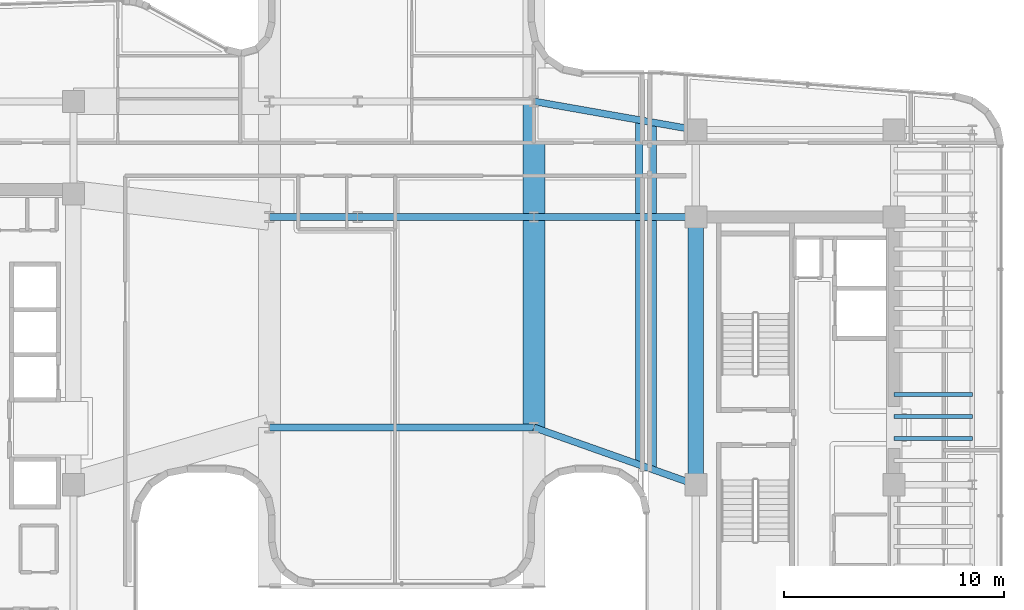
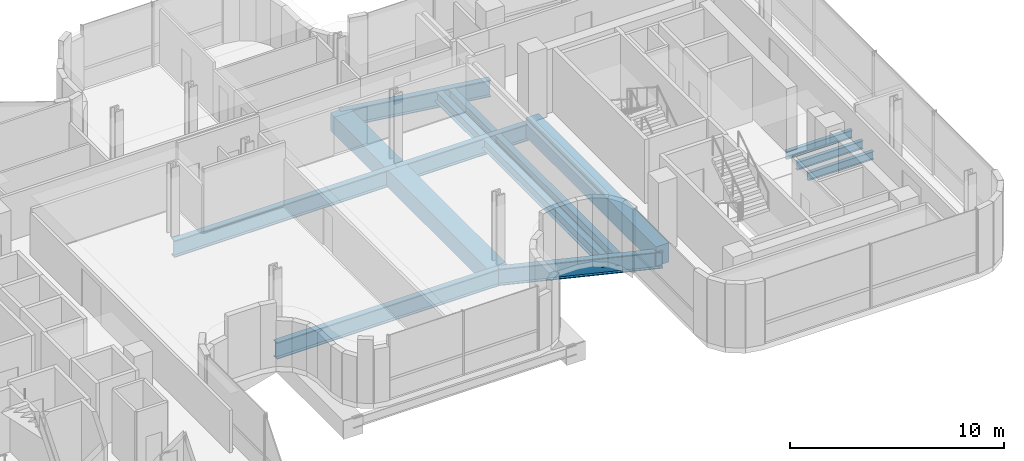
# One storey, part 14 of 39: 12 beams.
"""IFC4 building model written with IfcOpenShell, lengths in metres."""

from ifc_helpers import new_model, si_unit, direction, frame, origin, origin_2d, place, context, subcontext, project, spatial, rectangle, hollow_rectangle, i_section, extrude, source, transform, mapped, material, material_profile, profile_set, type_object, element, save


model = new_model("IFC4")

# Units and contexts
model_context = context("Model", 3, precision=1e-05, world=origin(), true_north=direction((0.0, 1.0)))
body_context = subcontext(model_context, "Body", "Model", "MODEL_VIEW")
ifc_project = project(units=[si_unit("LENGTHUNIT", "METRE"), si_unit("AREAUNIT", "SQUARE_METRE"), si_unit("VOLUMEUNIT", "CUBIC_METRE"), si_unit("PLANEANGLEUNIT", "RADIAN"), si_unit("MASSUNIT", "GRAM", prefix="KILO")], contexts=[model_context])

# Site, building, storey
site_placement = place(None, origin())
site = spatial("IfcSite", under=ifc_project, at=site_placement, CompositionType="ELEMENT")
building_placement = place(site_placement, origin())
building = spatial("IfcBuilding", under=site, at=building_placement, Name="Valdorenza Pilgrim Sanctuary Tower", CompositionType="ELEMENT")
storey_placement = place(building_placement, frame((0.0, 0.0, 184.449951171875)))
storey = spatial("IfcBuildingStorey", under=building, at=storey_placement, Name="L47", CompositionType="ELEMENT", Elevation=184.449951171875)

# Beams
ifc_material_1 = material(Name="Concrete C50/60", Category="concrete")
ifc_material_profile_1 = material_profile(ifc_material_1, rectangle(XDim=0.699951171875, YDim=1.10009765625, at=origin_2d()), Name="RC 1100x700")
ifc_profile_set_1 = profile_set([ifc_material_profile_1], Name="Concrete C50/60")
beam_type_1 = type_object("IfcBeamType", Name="STR-BM-LNT-1100", PredefinedType="LINTEL", material=ifc_profile_set_1)
shared_shape_1 = source(origin(), body_context, "Body", "SweptSolid", [
    extrude(rectangle(XDim=0.699951171875, YDim=1.10009765625, at=origin_2d()), origin(), (0.0, 0.0, 1.0), 12.150146484375),
])
beam_1_placement = place(storey_placement, frame((15.85009765625, -2.60009765625, -0.58984375), z_axis=(0.0, 1.0, 0.0), x_axis=(-1.0, 0.0, 0.0)))
element("IfcBeam", 1, at=beam_1_placement, inside=storey, type_object=beam_type_1, Name="L47 Core B West Coupling Lintel Girder", PredefinedType="LINTEL", context=body_context, shape_type="MappedRepresentation", body=[
    mapped(shared_shape_1, transform((0.0, 0.0, 0.0), x_axis=(1.0, 0.0, 0.0), y_axis=(0.0, 1.0, 0.0), z_axis=(0.0, 0.0, 1.0), scale=1.0)),
])
ifc_material_2 = material(Name="Steel ASTM A992 Grade 50", Category="steel")
ifc_material_profile_2 = material_profile(ifc_material_2, i_section(OverallWidth=0.19091796875, OverallDepth=0.45703125, WebThickness=0.009033203125, FlangeThickness=0.014404296875, at=origin_2d()), Name="W18X50")
ifc_profile_set_2 = profile_set([ifc_material_profile_2], Name="Steel ASTM A992 Grade 50")
beam_type_2 = type_object("IfcBeamType", Name="STR-BM-JST-W18B", PredefinedType="JOIST", material=ifc_profile_set_2)
shared_shape_2 = source(origin(), body_context, "Body", "SweptSolid", [
    extrude(i_section(OverallWidth=0.19091796875, OverallDepth=0.45703125, WebThickness=0.009033203125, FlangeThickness=0.014404296875, at=origin_2d()), origin(), (0.0, 0.0, 1.0), 3.5498046875),
])
for number, where, z_axis, x_axis, name in (
    (2, (24.85009765625, -0.5, -0.54833984375), (1.0, 0.0, 0.0), (0.0, 1.0, 0.0), "L47 Composite Floor Joist JST-WB-9"),
    (3, (24.85009765625, 0.5, -0.54833984375), (1.0, 0.0, 0.0), (0.0, 1.0, 0.0), "L47 Composite Floor Joist JST-WB-10"),
    (4, (24.85009765625, 1.5, -0.54833984375), (1.0, 0.0, 0.0), (0.0, 1.0, 0.0), "L47 Composite Floor Joist JST-WB-11"),
):
    element("IfcBeam", number, at=place(storey_placement, frame(where, z_axis=z_axis, x_axis=x_axis)), inside=storey, type_object=beam_type_2, Name=name, PredefinedType="JOIST", context=body_context, shape_type="MappedRepresentation", body=[
        mapped(shared_shape_2, transform((0.0, 0.0, 0.0), x_axis=(1.0, 0.0, 0.0), y_axis=(0.0, 1.0, 0.0), z_axis=(0.0, 0.0, 1.0), scale=1.0)),
    ])
ifc_material_profile_3 = material_profile(ifc_material_2, i_section(OverallWidth=0.323974609375, OverallDepth=0.611083984375, WebThickness=0.0126953125, FlangeThickness=0.01904296875, at=origin_2d()), Name="W24X104")
ifc_profile_set_3 = profile_set([ifc_material_profile_3], Name="Steel ASTM A992 Grade 50")
beam_type_3 = type_object("IfcBeamType", Name="STR-BM-GRD-W24B", PredefinedType="BEAM", material=ifc_profile_set_3)
shared_shape_3 = source(origin(), body_context, "Body", "SweptSolid", [
    extrude(i_section(OverallWidth=0.323974609375, OverallDepth=0.611083984375, WebThickness=0.0126953125, FlangeThickness=0.01904296875, at=origin_2d()), origin(), (0.0, 0.0, 1.0), 15.639892578125),
])
beam_2_placement = place(storey_placement, frame((13.280029296875, -1.68994140625, -0.62548828125), z_axis=(0.0, 1.0, 0.0), x_axis=(-1.0, 0.0, 0.0)))
element("IfcBeam", 5, at=beam_2_placement, inside=storey, type_object=beam_type_3, Name="L47 Bridge Joint Edge Header PRY-JNT-W", PredefinedType="BEAM", context=body_context, shape_type="MappedRepresentation", body=[
    mapped(shared_shape_3, transform((0.0, 0.0, 0.0), x_axis=(1.0, 0.0, 0.0), y_axis=(0.0, 1.0, 0.0), z_axis=(0.0, 0.0, 1.0), scale=1.0)),
])
shared_shape_4 = source(origin(), body_context, "Body", "SweptSolid", [
    extrude(i_section(OverallWidth=0.323974609375, OverallDepth=0.611083984375, WebThickness=0.0126953125, FlangeThickness=0.01904296875, at=origin_2d()), origin(), (0.0, 0.0, 1.0), 15.75),
])
beam_3_placement = place(storey_placement, frame((13.89990234375, -1.909912109375, -0.62548828125), z_axis=(0.0, 1.0, 0.0), x_axis=(-1.0, 0.0, 0.0)))
element("IfcBeam", 6, at=beam_3_placement, inside=storey, type_object=beam_type_3, Name="L47 Wing B Joint Edge Header PRY-JNT-E", PredefinedType="BEAM", context=body_context, shape_type="MappedRepresentation", body=[
    mapped(shared_shape_4, transform((0.0, 0.0, 0.0), x_axis=(1.0, 0.0, 0.0), y_axis=(0.0, 1.0, 0.0), z_axis=(0.0, 0.0, 1.0), scale=1.0)),
])
ifc_material_3 = material(Name="Steel ASTM A572 Grade 42", Category="steel")
ifc_material_profile_4 = material_profile(ifc_material_3, hollow_rectangle(XDim=1.0, YDim=1.0, WallThickness=0.080078125, at=origin_2d()), Name="BOX 1000x1000x80")
ifc_profile_set_4 = profile_set([ifc_material_profile_4], Name="Steel ASTM A572 Grade 42")
beam_type_4 = type_object("IfcBeamType", Name="STR-BM-PROW-CANT", PredefinedType="BEAM", material=ifc_profile_set_4)
shared_shape_5 = source(origin(), body_context, "Body", "SweptSolid", [
    extrude(hollow_rectangle(XDim=1.0, YDim=1.0, WallThickness=0.080078125, at=origin_2d()), origin(), (0.0, 0.0, 1.0), 14.800048828125),
])
beam_4_placement = place(storey_placement, frame((8.5, 0.0, -0.820068359375), z_axis=(0.0, 1.0, 0.0), x_axis=(-1.0, 0.0, 0.0)))
element("IfcBeam", 7, at=beam_4_placement, inside=storey, type_object=beam_type_4, Name="L47 Sanctuary Backspan Girder PROW-BACK-N-E", PredefinedType="BEAM", context=body_context, shape_type="MappedRepresentation", body=[
    mapped(shared_shape_5, transform((0.0, 0.0, 0.0), x_axis=(1.0, 0.0, 0.0), y_axis=(0.0, 1.0, 0.0), z_axis=(0.0, 0.0, 1.0), scale=1.0)),
])
ifc_material_profile_5 = material_profile(ifc_material_2, i_section(OverallWidth=0.31005859375, OverallDepth=0.949951171875, WebThickness=0.0244140625, FlangeThickness=0.0439453125, at=origin_2d()), Name="W36X256")
ifc_profile_set_5 = profile_set([ifc_material_profile_5], Name="Steel ASTM A992 Grade 50")
beam_type_5 = type_object("IfcBeamType", Name="STR-BM-GRD-W36B", PredefinedType="BEAM", material=ifc_profile_set_5)
shared_shape_6 = source(origin(), body_context, "Body", "SweptSolid", [
    extrude(i_section(OverallWidth=0.31005859375, OverallDepth=0.949951171875, WebThickness=0.0244140625, FlangeThickness=0.0439453125, at=origin_2d()), origin(), (0.0, 0.0, 1.0), 12.0),
])
for number, where, z_axis, x_axis, name in (
    (8, (-3.5, 0.0, -0.794921875), (1.0, 0.0, 0.0), (0.0, 1.0, 0.0), "L47 Portal Bridge Span Girder PRY-G2-P0"),
    (9, (-3.5, 9.550048828125, -0.794921875), (1.0, 0.0, 0.0), (0.0, 1.0, 0.0), "L47 Portal Bridge Span Girder PRY-G2-P9"),
):
    element("IfcBeam", number, at=place(storey_placement, frame(where, z_axis=z_axis, x_axis=x_axis)), inside=storey, type_object=beam_type_5, Name=name, PredefinedType="BEAM", context=body_context, shape_type="MappedRepresentation", body=[
        mapped(shared_shape_6, transform((0.0, 0.0, 0.0), x_axis=(1.0, 0.0, 0.0), y_axis=(0.0, 1.0, 0.0), z_axis=(0.0, 0.0, 1.0), scale=1.0)),
    ])
shared_shape_7 = source(origin(), body_context, "Body", "SweptSolid", [
    extrude(i_section(OverallWidth=0.31005859375, OverallDepth=0.949951171875, WebThickness=0.0244140625, FlangeThickness=0.0439453125, at=origin_2d()), origin(), (0.0, 0.0, 1.0), 7.79638671875),
])
beam_5_placement = place(storey_placement, frame((8.5, 0.0, -0.794921875), z_axis=(0.942750751534, -0.333498156641, 0.0), x_axis=(0.333498156641, 0.942750751534, 0.0)))
element("IfcBeam", 10, at=beam_5_placement, inside=storey, type_object=beam_type_5, Name="L47 Portal Bridge East Seat Girder PRY-G3-P0", PredefinedType="BEAM", context=body_context, shape_type="MappedRepresentation", body=[
    mapped(shared_shape_7, transform((0.0, 0.0, 0.0), x_axis=(1.0, 0.0, 0.0), y_axis=(0.0, 1.0, 0.0), z_axis=(0.0, 0.0, 1.0), scale=1.0)),
])
shared_shape_8 = source(origin(), body_context, "Body", "SweptSolid", [
    extrude(i_section(OverallWidth=0.31005859375, OverallDepth=0.949951171875, WebThickness=0.0244140625, FlangeThickness=0.0439453125, at=origin_2d()), origin(), (0.0, 0.0, 1.0), 7.35009765625),
])
beam_6_placement = place(storey_placement, frame((8.5, 9.550048828125, -0.794921875), z_axis=(1.0, 0.0, 0.0), x_axis=(0.0, 1.0, 0.0)))
element("IfcBeam", 11, at=beam_6_placement, inside=storey, type_object=beam_type_5, Name="L47 Portal Bridge East Seat Girder PRY-G3-P9", PredefinedType="BEAM", context=body_context, shape_type="MappedRepresentation", body=[
    mapped(shared_shape_8, transform((0.0, 0.0, 0.0), x_axis=(1.0, 0.0, 0.0), y_axis=(0.0, 1.0, 0.0), z_axis=(0.0, 0.0, 1.0), scale=1.0)),
])
shared_shape_9 = source(origin(), body_context, "Body", "SweptSolid", [
    extrude(i_section(OverallWidth=0.31005859375, OverallDepth=0.949951171875, WebThickness=0.0244140625, FlangeThickness=0.0439453125, at=origin_2d()), origin(), (0.0, 0.0, 1.0), 7.464111328125),
])
beam_7_placement = place(storey_placement, frame((8.5, 14.800048828125, -0.794921875), z_axis=(0.984715322541, -0.17417156356, 0.0), x_axis=(0.17417156356, 0.984715322541, 0.0)))
element("IfcBeam", 12, at=beam_7_placement, inside=storey, type_object=beam_type_5, Name="L47 Portal Bridge East Seat Girder PRY-G3-P14", PredefinedType="BEAM", context=body_context, shape_type="MappedRepresentation", body=[
    mapped(shared_shape_9, transform((0.0, 0.0, 0.0), x_axis=(1.0, 0.0, 0.0), y_axis=(0.0, 1.0, 0.0), z_axis=(0.0, 0.0, 1.0), scale=1.0)),
])

save(model, "model.ifc")
